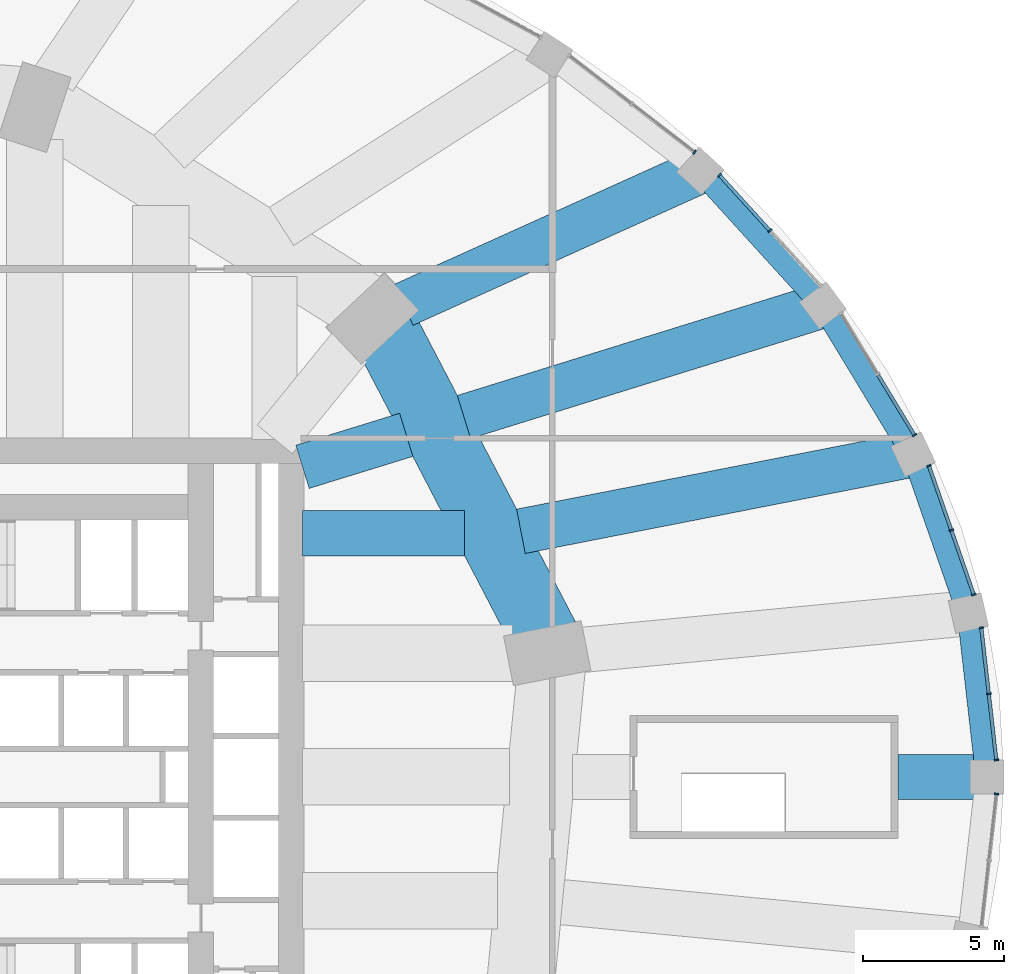
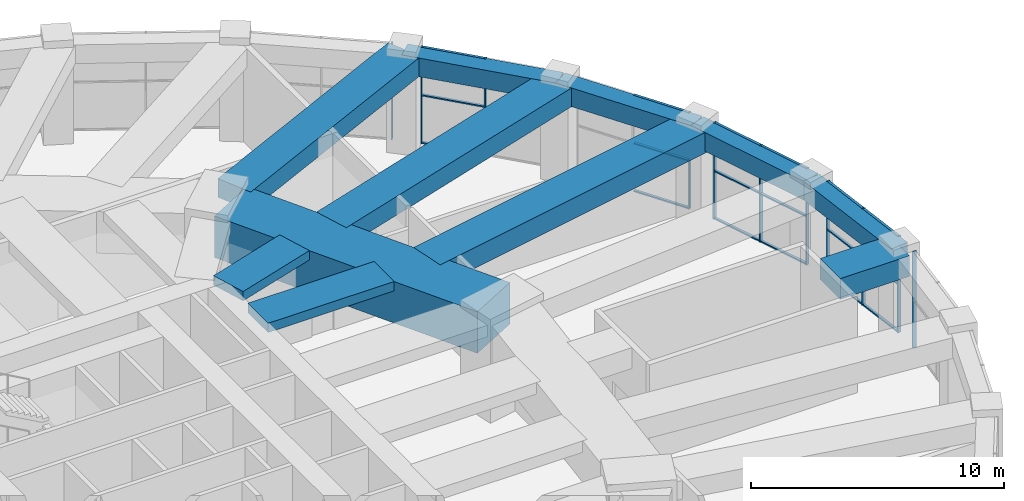
# One storey, part 14 of 30: 29 members, 11 beams, 6 elements without a shape of their own.
"""IFC4 building model written with IfcOpenShell, lengths in metres."""

from ifc_helpers import new_model, si_unit, direction, frame, origin, origin_2d, place, context, subcontext, project, spatial, rectangle, extrude, material, material_profile, profile_set, type_object, element, aggregate, save


model = new_model("IFC4")

# Units and contexts
model_context = context("Model", 3, precision=1e-05, world=origin(), true_north=direction((0.0, 1.0)))
body_context = subcontext(model_context, "Body", "Model", "MODEL_VIEW")
ifc_project = project(units=[si_unit("LENGTHUNIT", "METRE"), si_unit("AREAUNIT", "SQUARE_METRE"), si_unit("VOLUMEUNIT", "CUBIC_METRE"), si_unit("PLANEANGLEUNIT", "RADIAN"), si_unit("MASSUNIT", "GRAM", prefix="KILO")], contexts=[model_context])

# Site, building, storey
site_placement = place(None, origin())
site = spatial("IfcSite", under=ifc_project, at=site_placement, CompositionType="ELEMENT")
building_placement = place(site_placement, origin())
building = spatial("IfcBuilding", under=site, at=building_placement, Name="Taillehof Tower", CompositionType="ELEMENT")
storey_placement = place(building_placement, frame((0.0, 0.0, 12.5)))
storey = spatial("IfcBuildingStorey", under=building, at=storey_placement, Name="L02", CompositionType="ELEMENT", Elevation=12.5)

# Beams
ifc_material_1 = material(Name="Concrete C50/60", Category="concrete")
ifc_material_profile_1 = material_profile(ifc_material_1, rectangle(XDim=0.800048828125, YDim=0.89990234375, at=origin_2d()), Name="RC 800x900")
ifc_profile_set_1 = profile_set([ifc_material_profile_1], Name="Concrete C50/60")
beam_type_1 = type_object("IfcBeamType", Name="Podium edge beam C50/60 800x900", PredefinedType="BEAM", material=ifc_profile_set_1)
beam_1_placement = place(storey_placement, frame((43.39990234375, 0.0, 4.199951171875), z_axis=(-0.112928457179, 0.993603121754, 0.0), x_axis=(-0.993603121754, -0.112928457179, 0.0)))
element("IfcBeam", 1, at=beam_1_placement, inside=storey, type_object=beam_type_1, Name="Podium edge beam PB01", PredefinedType="BEAM", context=body_context, shape_type="SweptSolid", body=[
    extrude(rectangle(XDim=0.800048828125, YDim=0.89990234375, at=origin_2d()), origin(), (0.0, 0.0, 1.0), 5.837158203125),
])
beam_2_placement = place(storey_placement, frame((42.74072265625, 5.7998046875, 4.199951171875), z_axis=(-0.328806837859, 0.94439719577, 0.0), x_axis=(-0.94439719577, -0.328806837859, 0.0)))
element("IfcBeam", 2, at=beam_2_placement, inside=storey, type_object=beam_type_1, Name="Podium edge beam PB02", PredefinedType="BEAM", context=body_context, shape_type="SweptSolid", body=[
    extrude(rectangle(XDim=0.800048828125, YDim=0.89990234375, at=origin_2d()), origin(), (0.0, 0.0, 1.0), 5.954833984375),
])
beam_3_placement = place(storey_placement, frame((40.78271484375, 11.423583984375, 4.199951171875), z_axis=(-0.518238569123, 0.855236099258, 0.0), x_axis=(-0.855236099258, -0.518238569123, 0.0)))
element("IfcBeam", 3, at=beam_3_placement, inside=storey, type_object=beam_type_1, Name="Podium edge beam PB03", PredefinedType="BEAM", context=body_context, shape_type="SweptSolid", body=[
    extrude(rectangle(XDim=0.800048828125, YDim=0.89990234375, at=origin_2d()), origin(), (0.0, 0.0, 1.0), 6.16943359375),
])
beam_4_placement = place(storey_placement, frame((37.58544921875, 16.699951171875, 4.199951171875), z_axis=(-0.67297994181, 0.739660731634, 0.0), x_axis=(-0.739660731634, -0.67297994181, 0.0)))
element("IfcBeam", 4, at=beam_4_placement, inside=storey, type_object=beam_type_1, Name="Podium edge beam PB04", PredefinedType="BEAM", context=body_context, shape_type="SweptSolid", body=[
    extrude(rectangle(XDim=0.800048828125, YDim=0.89990234375, at=origin_2d()), origin(), (0.0, 0.0, 1.0), 6.447509765625),
])
ifc_material_2 = material(Name="Concrete C50/60", Category="concrete")
ifc_material_profile_2 = material_profile(ifc_material_2, rectangle(XDim=1.60009765625, YDim=1.0, at=origin_2d()), Name="RC 1600x1000")
ifc_profile_set_2 = profile_set([ifc_material_profile_2], Name="Concrete C50/60")
beam_type_2 = type_object("IfcBeamType", Name="Podium radial beam C50/60 1600x1000", PredefinedType="BEAM", material=ifc_profile_set_2)
beam_5_placement = place(storey_placement, frame((43.39990234375, 0.0, 4.14990234375), z_axis=(-1.0, 0.0, 0.0), x_axis=(0.0, -1.0, 0.0)))
element("IfcBeam", 5, at=beam_5_placement, inside=storey, type_object=beam_type_2, Name="Podium radial beam PR01", PredefinedType="BEAM", context=body_context, shape_type="SweptSolid", body=[
    extrude(rectangle(XDim=1.60009765625, YDim=1.0, at=origin_2d()), origin(), (0.0, 0.0, 1.0), 3.14990234375),
])
beam_6_placement = place(storey_placement, frame((40.78271484375, 11.423583984375, 4.14990234375), z_axis=(-0.981362621206, -0.19216504807, 0.0), x_axis=(0.19216504807, -0.981362621206, 0.0)))
element("IfcBeam", 6, at=beam_6_placement, inside=storey, type_object=beam_type_2, Name="Podium radial beam PR03", PredefinedType="BEAM", context=body_context, shape_type="SweptSolid", body=[
    extrude(rectangle(XDim=1.60009765625, YDim=1.0, at=origin_2d()), origin(), (0.0, 0.0, 1.0), 14.158203125),
])
ifc_material_3 = material(Name="Concrete C50/60", Category="concrete")
ifc_material_profile_3 = material_profile(ifc_material_3, rectangle(XDim=1.60009765625, YDim=0.89990234375, at=origin_2d()), Name="RC 1600x900")
ifc_profile_set_3 = profile_set([ifc_material_profile_3], Name="Concrete C50/60")
beam_type_3 = type_object("IfcBeamType", Name="Podium radial beam C50/60 1600x900", PredefinedType="BEAM", material=ifc_profile_set_3)
beam_7_placement = place(storey_placement, frame((37.58544921875, 16.699951171875, 4.199951171875), z_axis=(-0.95499860346, -0.296610295487, 0.0), x_axis=(0.296610295487, -0.95499860346, 0.0)))
element("IfcBeam", 7, at=beam_7_placement, inside=storey, type_object=beam_type_3, Name="Podium radial beam PR04", PredefinedType="BEAM", context=body_context, shape_type="SweptSolid", body=[
    extrude(rectangle(XDim=1.60009765625, YDim=0.89990234375, at=origin_2d()), origin(), (0.0, 0.0, 1.0), 13.314453125),
])
beam_8_placement = place(storey_placement, frame((33.246337890625, 21.468994140625, 4.199951171875), z_axis=(-0.911449764293, -0.411411384347, 0.0), x_axis=(0.411411384347, -0.911449764293, 0.0)))
element("IfcBeam", 8, at=beam_8_placement, inside=storey, type_object=beam_type_3, Name="Podium radial beam PR05", PredefinedType="BEAM", context=body_context, shape_type="SweptSolid", body=[
    extrude(rectangle(XDim=1.60009765625, YDim=0.89990234375, at=origin_2d()), origin(), (0.0, 0.0, 1.0), 11.5283203125),
])

# Curtain wall, members
ifc_material_4 = material(Name="Aluminium curtain wall with Clear low-emissivity double glazing", Category="aluminium")
curtain_wall_type = type_object("IfcCurtainWallType", Name="Podium window wall curtain wall", PredefinedType="USERDEFINED", material=ifc_material_4)
curtain_wall_1_placement = place(storey_placement, origin())
curtain_wall_1 = element("IfcCurtainWall", 9, at=curtain_wall_1_placement, inside=storey, type_object=curtain_wall_type, Name="Podium window wall L02 bay 1", ObjectType="WINDOW WALL", PredefinedType="USERDEFINED")
ifc_material_5 = material(Name="Aluminium mullion", Category="aluminium")
ifc_material_profile_4 = material_profile(ifc_material_5, rectangle(XDim=0.159912109375, YDim=0.06005859375, at=origin_2d()), Name="AL 60x160")
ifc_profile_set_4 = profile_set([ifc_material_profile_4], Name="Aluminium mullion")
member_type_1 = type_object("IfcMemberType", Name="Podium window wall mullion 60x160", PredefinedType="MULLION", material=ifc_profile_set_4)
member_1_placement = place(storey_placement, frame((43.73046875, 0.60009765625, 0.0), z_axis=(0.0, 0.0, 1.0), x_axis=(-0.993602669771, -0.112932433888, 0.0)))
member_1 = element("IfcMember", 10, at=member_1_placement, type_object=member_type_1, Name="CT201 mullion 1", PredefinedType="MULLION", context=body_context, shape_type="SweptSolid", body=[
    extrude(rectangle(XDim=0.159912109375, YDim=0.06005859375, at=origin_2d()), origin(), (0.0, 0.0, 1.0), 4.64990234375),
])
member_2_placement = place(storey_placement, frame((43.464111328125, 2.9443359375, 0.0), z_axis=(0.0, 0.0, 1.0), x_axis=(-0.993602669771, -0.112932433888, 0.0)))
member_2 = element("IfcMember", 11, at=member_2_placement, type_object=member_type_1, Name="CT201 mullion 2", PredefinedType="MULLION", context=body_context, shape_type="SweptSolid", body=[
    extrude(rectangle(XDim=0.159912109375, YDim=0.06005859375, at=origin_2d()), origin(), (0.0, 0.0, 1.0), 4.64990234375),
])
member_3_placement = place(storey_placement, frame((43.197509765625, 5.28857421875, 0.0), z_axis=(0.0, 0.0, 1.0), x_axis=(-0.993602669771, -0.112932433888, 0.0)))
member_3 = element("IfcMember", 12, at=member_3_placement, type_object=member_type_1, Name="CT201 mullion 3", PredefinedType="MULLION", context=body_context, shape_type="SweptSolid", body=[
    extrude(rectangle(XDim=0.159912109375, YDim=0.06005859375, at=origin_2d()), origin(), (0.0, 0.0, 1.0), 4.64990234375),
])

curtain_wall_2_placement = place(storey_placement, origin())
curtain_wall_2 = element("IfcCurtainWall", 13, at=curtain_wall_2_placement, inside=storey, type_object=curtain_wall_type, Name="Podium window wall L02 bay 2", ObjectType="WINDOW WALL", PredefinedType="USERDEFINED")
member_4_placement = place(storey_placement, frame((42.930908203125, 6.458740234375, 0.0), z_axis=(0.0, 0.0, 1.0), x_axis=(-0.944414333464, -0.328757610934, 0.0)))
member_4 = element("IfcMember", 14, at=member_4_placement, type_object=member_type_1, Name="CT202 mullion 1", PredefinedType="MULLION", context=body_context, shape_type="SweptSolid", body=[
    extrude(rectangle(XDim=0.159912109375, YDim=0.06005859375, at=origin_2d()), origin(), (0.0, 0.0, 1.0), 4.64990234375),
])
member_5_placement = place(storey_placement, frame((42.136474609375, 8.7412109375, 0.0), z_axis=(0.0, 0.0, 1.0), x_axis=(-0.944414333464, -0.328757610934, 0.0)))
member_5 = element("IfcMember", 15, at=member_5_placement, type_object=member_type_1, Name="CT202 mullion 2", PredefinedType="MULLION", context=body_context, shape_type="SweptSolid", body=[
    extrude(rectangle(XDim=0.159912109375, YDim=0.06005859375, at=origin_2d()), origin(), (0.0, 0.0, 1.0), 4.64990234375),
])
member_6_placement = place(storey_placement, frame((41.341796875, 11.023681640625, 0.0), z_axis=(0.0, 0.0, 1.0), x_axis=(-0.944414333464, -0.328757610934, 0.0)))
member_6 = element("IfcMember", 16, at=member_6_placement, type_object=member_type_1, Name="CT202 mullion 3", PredefinedType="MULLION", context=body_context, shape_type="SweptSolid", body=[
    extrude(rectangle(XDim=0.159912109375, YDim=0.06005859375, at=origin_2d()), origin(), (0.0, 0.0, 1.0), 4.64990234375),
])

# Curtain wall, member
curtain_wall_3_placement = place(storey_placement, origin())
curtain_wall_3 = element("IfcCurtainWall", 17, at=curtain_wall_3_placement, inside=storey, type_object=curtain_wall_type, Name="Podium window wall L02 bay 3", ObjectType="WINDOW WALL", PredefinedType="USERDEFINED")
member_7_placement = place(storey_placement, frame((40.8310546875, 12.109375, 0.0), z_axis=(0.0, 0.0, 1.0), x_axis=(-0.855288863309, -0.518151483931, 0.0)))
member_7 = element("IfcMember", 18, at=member_7_placement, type_object=member_type_1, Name="CT203 mullion 1", PredefinedType="MULLION", context=body_context, shape_type="SweptSolid", body=[
    extrude(rectangle(XDim=0.159912109375, YDim=0.06005859375, at=origin_2d()), origin(), (0.0, 0.0, 1.0), 4.64990234375),
])

# Curtain wall, members
curtain_wall_4_placement = place(storey_placement, origin())
curtain_wall_4 = element("IfcCurtainWall", 19, at=curtain_wall_4_placement, inside=storey, type_object=curtain_wall_type, Name="Podium window wall L02 bay 4", ObjectType="WINDOW WALL", PredefinedType="USERDEFINED")
member_8_placement = place(storey_placement, frame((35.7109375, 19.35107421875, 0.0), z_axis=(0.0, 0.0, 1.0), x_axis=(-0.739707112587, -0.672928961769, 0.0)))
member_8 = element("IfcMember", 20, at=member_8_placement, type_object=member_type_1, Name="CT204 mullion 2", PredefinedType="MULLION", context=body_context, shape_type="SweptSolid", body=[
    extrude(rectangle(XDim=0.159912109375, YDim=0.06005859375, at=origin_2d()), origin(), (0.0, 0.0, 1.0), 4.64990234375),
])
member_9_placement = place(storey_placement, frame((33.922119140625, 21.317138671875, 0.0), z_axis=(0.0, 0.0, 1.0), x_axis=(-0.739707112587, -0.672928961769, 0.0)))
member_9 = element("IfcMember", 21, at=member_9_placement, type_object=member_type_1, Name="CT204 mullion 3", PredefinedType="MULLION", context=body_context, shape_type="SweptSolid", body=[
    extrude(rectangle(XDim=0.159912109375, YDim=0.06005859375, at=origin_2d()), origin(), (0.0, 0.0, 1.0), 4.64990234375),
])

# Curtain wall, member
curtain_wall_5_placement = place(storey_placement, origin())
curtain_wall_5 = element("IfcCurtainWall", 22, at=curtain_wall_5_placement, inside=storey, type_object=curtain_wall_type, Name="Podium window wall L02 bay 5", ObjectType="WINDOW WALL", PredefinedType="USERDEFINED")
member_10_placement = place(storey_placement, frame((33.03955078125, 22.130126953125, 0.0), z_axis=(0.0, 0.0, 1.0), x_axis=(-0.60993206075, -0.792453709228, 0.0)))
member_10 = element("IfcMember", 23, at=member_10_placement, type_object=member_type_1, Name="CT205 mullion 1", PredefinedType="MULLION", context=body_context, shape_type="SweptSolid", body=[
    extrude(rectangle(XDim=0.159912109375, YDim=0.06005859375, at=origin_2d()), origin(), (0.0, 0.0, 1.0), 4.64990234375),
])
aggregate(curtain_wall_5, [member_10])

curtain_wall_6_placement = place(storey_placement, origin())
curtain_wall_6 = element("IfcCurtainWall", 24, at=curtain_wall_6_placement, inside=storey, type_object=curtain_wall_type, Name="Podium window wall L02 bay 36", ObjectType="WINDOW WALL", PredefinedType="USERDEFINED")
member_11_placement = place(storey_placement, frame((43.73046875, -0.60009765625, 0.0), z_axis=(0.0, 0.0, 1.0), x_axis=(-0.993602669771, 0.112932433888, 0.0)))
member_11 = element("IfcMember", 25, at=member_11_placement, type_object=member_type_1, Name="CT236 mullion 3", PredefinedType="MULLION", context=body_context, shape_type="SweptSolid", body=[
    extrude(rectangle(XDim=0.159912109375, YDim=0.06005859375, at=origin_2d()), origin(), (0.0, 0.0, 1.0), 4.64990234375),
])
aggregate(curtain_wall_6, [member_11])

# Member
ifc_material_6 = material(Name="Aluminium transom", Category="aluminium")
ifc_material_profile_5 = material_profile(ifc_material_6, rectangle(XDim=0.1201171875, YDim=0.06005859375, at=origin_2d()), Name="AL 120x60")
ifc_profile_set_5 = profile_set([ifc_material_profile_5], Name="Aluminium transom")
member_type_2 = type_object("IfcMemberType", Name="Podium window wall transom 120x60", PredefinedType="USERDEFINED", material=ifc_profile_set_5)
member_12_placement = place(storey_placement, frame((43.72705078125, 0.6298828125, 0.030029296875), z_axis=(-0.112866805394, 0.993610126881, 0.0), x_axis=(-0.993610126881, -0.112866805394, 0.0)))
member_12 = element("IfcMember", 26, at=member_12_placement, type_object=member_type_2, Name="CT201 transom 1.1", ObjectType="TRANSOM", PredefinedType="USERDEFINED", context=body_context, shape_type="SweptSolid", body=[
    extrude(rectangle(XDim=0.1201171875, YDim=0.06005859375, at=origin_2d()), origin(), (0.0, 0.0, 1.0), 2.29931640625),
])

member_13_placement = place(storey_placement, frame((43.72705078125, 0.6298828125, 2.324951171875), z_axis=(-0.112866805394, 0.993610126881, 0.0), x_axis=(-0.993610126881, -0.112866805394, 0.0)))
member_13 = element("IfcMember", 27, at=member_13_placement, type_object=member_type_2, Name="CT201 transom 1.2", ObjectType="TRANSOM", PredefinedType="USERDEFINED", context=body_context, shape_type="SweptSolid", body=[
    extrude(rectangle(XDim=0.1201171875, YDim=0.06005859375, at=origin_2d()), origin(), (0.0, 0.0, 1.0), 2.29931640625),
])

member_14_placement = place(storey_placement, frame((43.72705078125, 0.6298828125, 4.6201171875), z_axis=(-0.112866805394, 0.993610126881, 0.0), x_axis=(-0.993610126881, -0.112866805394, 0.0)))
member_14 = element("IfcMember", 28, at=member_14_placement, type_object=member_type_2, Name="CT201 transom 1.3", ObjectType="TRANSOM", PredefinedType="USERDEFINED", context=body_context, shape_type="SweptSolid", body=[
    extrude(rectangle(XDim=0.1201171875, YDim=0.06005859375, at=origin_2d()), origin(), (0.0, 0.0, 1.0), 2.29931640625),
])

member_15_placement = place(storey_placement, frame((43.460693359375, 2.97412109375, 0.030029296875), z_axis=(-0.112971628537, 0.993598214142, 0.0), x_axis=(-0.993598214142, -0.112971628537, 0.0)))
member_15 = element("IfcMember", 29, at=member_15_placement, type_object=member_type_2, Name="CT201 transom 2.1", ObjectType="TRANSOM", PredefinedType="USERDEFINED", context=body_context, shape_type="SweptSolid", body=[
    extrude(rectangle(XDim=0.1201171875, YDim=0.06005859375, at=origin_2d()), origin(), (0.0, 0.0, 1.0), 2.29931640625),
])

member_16_placement = place(storey_placement, frame((43.460693359375, 2.97412109375, 2.324951171875), z_axis=(-0.112971628537, 0.993598214142, 0.0), x_axis=(-0.993598214142, -0.112971628537, 0.0)))
member_16 = element("IfcMember", 30, at=member_16_placement, type_object=member_type_2, Name="CT201 transom 2.2", ObjectType="TRANSOM", PredefinedType="USERDEFINED", context=body_context, shape_type="SweptSolid", body=[
    extrude(rectangle(XDim=0.1201171875, YDim=0.06005859375, at=origin_2d()), origin(), (0.0, 0.0, 1.0), 2.29931640625),
])

member_17_placement = place(storey_placement, frame((43.460693359375, 2.97412109375, 4.6201171875), z_axis=(-0.112971628537, 0.993598214142, 0.0), x_axis=(-0.993598214142, -0.112971628537, 0.0)))
member_17 = element("IfcMember", 31, at=member_17_placement, type_object=member_type_2, Name="CT201 transom 2.3", ObjectType="TRANSOM", PredefinedType="USERDEFINED", context=body_context, shape_type="SweptSolid", body=[
    extrude(rectangle(XDim=0.1201171875, YDim=0.06005859375, at=origin_2d()), origin(), (0.0, 0.0, 1.0), 2.29931640625),
])

aggregate(curtain_wall_1, [member_1, member_2, member_3, member_12, member_13, member_14, member_15, member_16, member_17])

member_18_placement = place(storey_placement, frame((42.921142578125, 6.487060546875, 0.030029296875), z_axis=(-0.328785781258, 0.944404526695, 0.0), x_axis=(-0.944404526695, -0.328785781258, 0.0)))
member_18 = element("IfcMember", 32, at=member_18_placement, type_object=member_type_2, Name="CT202 transom 1.1", ObjectType="TRANSOM", PredefinedType="USERDEFINED", context=body_context, shape_type="SweptSolid", body=[
    extrude(rectangle(XDim=0.1201171875, YDim=0.06005859375, at=origin_2d()), origin(), (0.0, 0.0, 1.0), 2.35693359375),
])

member_19_placement = place(storey_placement, frame((42.921142578125, 6.487060546875, 2.324951171875), z_axis=(-0.328785781258, 0.944404526695, 0.0), x_axis=(-0.944404526695, -0.328785781258, 0.0)))
member_19 = element("IfcMember", 33, at=member_19_placement, type_object=member_type_2, Name="CT202 transom 1.2", ObjectType="TRANSOM", PredefinedType="USERDEFINED", context=body_context, shape_type="SweptSolid", body=[
    extrude(rectangle(XDim=0.1201171875, YDim=0.06005859375, at=origin_2d()), origin(), (0.0, 0.0, 1.0), 2.35693359375),
])

member_20_placement = place(storey_placement, frame((42.921142578125, 6.487060546875, 4.6201171875), z_axis=(-0.328785781258, 0.944404526695, 0.0), x_axis=(-0.944404526695, -0.328785781258, 0.0)))
member_20 = element("IfcMember", 34, at=member_20_placement, type_object=member_type_2, Name="CT202 transom 1.3", ObjectType="TRANSOM", PredefinedType="USERDEFINED", context=body_context, shape_type="SweptSolid", body=[
    extrude(rectangle(XDim=0.1201171875, YDim=0.06005859375, at=origin_2d()), origin(), (0.0, 0.0, 1.0), 2.35693359375),
])

member_21_placement = place(storey_placement, frame((42.12646484375, 8.76953125, 0.030029296875), z_axis=(-0.328693387122, 0.9444366878, 0.0), x_axis=(-0.9444366878, -0.328693387122, 0.0)))
member_21 = element("IfcMember", 35, at=member_21_placement, type_object=member_type_2, Name="CT202 transom 2.1", ObjectType="TRANSOM", PredefinedType="USERDEFINED", context=body_context, shape_type="SweptSolid", body=[
    extrude(rectangle(XDim=0.1201171875, YDim=0.06005859375, at=origin_2d()), origin(), (0.0, 0.0, 1.0), 2.356689453125),
])

member_22_placement = place(storey_placement, frame((42.12646484375, 8.76953125, 2.324951171875), z_axis=(-0.328693387122, 0.9444366878, 0.0), x_axis=(-0.9444366878, -0.328693387122, 0.0)))
member_22 = element("IfcMember", 36, at=member_22_placement, type_object=member_type_2, Name="CT202 transom 2.2", ObjectType="TRANSOM", PredefinedType="USERDEFINED", context=body_context, shape_type="SweptSolid", body=[
    extrude(rectangle(XDim=0.1201171875, YDim=0.06005859375, at=origin_2d()), origin(), (0.0, 0.0, 1.0), 2.356689453125),
])

member_23_placement = place(storey_placement, frame((42.12646484375, 8.76953125, 4.6201171875), z_axis=(-0.328693387122, 0.9444366878, 0.0), x_axis=(-0.9444366878, -0.328693387122, 0.0)))
member_23 = element("IfcMember", 37, at=member_23_placement, type_object=member_type_2, Name="CT202 transom 2.3", ObjectType="TRANSOM", PredefinedType="USERDEFINED", context=body_context, shape_type="SweptSolid", body=[
    extrude(rectangle(XDim=0.1201171875, YDim=0.06005859375, at=origin_2d()), origin(), (0.0, 0.0, 1.0), 2.356689453125),
])

aggregate(curtain_wall_2, [member_4, member_5, member_6, member_18, member_19, member_20, member_21, member_22, member_23])

member_24_placement = place(storey_placement, frame((40.8154296875, 12.135009765625, 0.030029296875), z_axis=(-0.518136875535, 0.855297713203, 0.0), x_axis=(-0.855297713203, -0.518136875535, 0.0)))
member_24 = element("IfcMember", 38, at=member_24_placement, type_object=member_type_2, Name="CT203 transom 1.1", ObjectType="TRANSOM", PredefinedType="USERDEFINED", context=body_context, shape_type="SweptSolid", body=[
    extrude(rectangle(XDim=0.1201171875, YDim=0.06005859375, at=origin_2d()), origin(), (0.0, 0.0, 1.0), 2.4619140625),
])

member_25_placement = place(storey_placement, frame((40.8154296875, 12.135009765625, 2.324951171875), z_axis=(-0.518136875535, 0.855297713203, 0.0), x_axis=(-0.855297713203, -0.518136875535, 0.0)))
member_25 = element("IfcMember", 39, at=member_25_placement, type_object=member_type_2, Name="CT203 transom 1.2", ObjectType="TRANSOM", PredefinedType="USERDEFINED", context=body_context, shape_type="SweptSolid", body=[
    extrude(rectangle(XDim=0.1201171875, YDim=0.06005859375, at=origin_2d()), origin(), (0.0, 0.0, 1.0), 2.4619140625),
])

member_26_placement = place(storey_placement, frame((40.8154296875, 12.135009765625, 4.6201171875), z_axis=(-0.518136875535, 0.855297713203, 0.0), x_axis=(-0.855297713203, -0.518136875535, 0.0)))
member_26 = element("IfcMember", 40, at=member_26_placement, type_object=member_type_2, Name="CT203 transom 1.3", ObjectType="TRANSOM", PredefinedType="USERDEFINED", context=body_context, shape_type="SweptSolid", body=[
    extrude(rectangle(XDim=0.1201171875, YDim=0.06005859375, at=origin_2d()), origin(), (0.0, 0.0, 1.0), 2.4619140625),
])

aggregate(curtain_wall_3, [member_7, member_24, member_25, member_26])

member_27_placement = place(storey_placement, frame((35.690673828125, 19.373291015625, 0.030029296875), z_axis=(-0.672958072108, 0.73968062918, 0.0), x_axis=(-0.73968062918, -0.672958072108, 0.0)))
member_27 = element("IfcMember", 41, at=member_27_placement, type_object=member_type_2, Name="CT204 transom 2.1", ObjectType="TRANSOM", PredefinedType="USERDEFINED", context=body_context, shape_type="SweptSolid", body=[
    extrude(rectangle(XDim=0.1201171875, YDim=0.06005859375, at=origin_2d()), origin(), (0.0, 0.0, 1.0), 2.597900390625),
])

member_28_placement = place(storey_placement, frame((35.690673828125, 19.373291015625, 2.324951171875), z_axis=(-0.672958072108, 0.73968062918, 0.0), x_axis=(-0.73968062918, -0.672958072108, 0.0)))
member_28 = element("IfcMember", 42, at=member_28_placement, type_object=member_type_2, Name="CT204 transom 2.2", ObjectType="TRANSOM", PredefinedType="USERDEFINED", context=body_context, shape_type="SweptSolid", body=[
    extrude(rectangle(XDim=0.1201171875, YDim=0.06005859375, at=origin_2d()), origin(), (0.0, 0.0, 1.0), 2.597900390625),
])

member_29_placement = place(storey_placement, frame((35.690673828125, 19.373291015625, 4.6201171875), z_axis=(-0.672958072108, 0.73968062918, 0.0), x_axis=(-0.73968062918, -0.672958072108, 0.0)))
member_29 = element("IfcMember", 43, at=member_29_placement, type_object=member_type_2, Name="CT204 transom 2.3", ObjectType="TRANSOM", PredefinedType="USERDEFINED", context=body_context, shape_type="SweptSolid", body=[
    extrude(rectangle(XDim=0.1201171875, YDim=0.06005859375, at=origin_2d()), origin(), (0.0, 0.0, 1.0), 2.597900390625),
])

aggregate(curtain_wall_4, [member_8, member_9, member_27, member_28, member_29])

# Beams
ifc_material_7 = material(Name="Concrete C50/60", Category="concrete")
ifc_material_profile_6 = material_profile(ifc_material_7, rectangle(XDim=1.60009765625, YDim=0.449951171875, at=origin_2d()), Name="RC 1600x450")
ifc_profile_set_6 = profile_set([ifc_material_profile_6], Name="Concrete C50/60")
beam_type_4 = type_object("IfcBeamType", Name="Radial band beam C50/60 1600x450", PredefinedType="BEAM", material=ifc_profile_set_6)
beam_9_placement = place(storey_placement, frame((24.895751953125, 8.635986328125, 4.425048828125), z_axis=(-1.0, 0.0, 0.0), x_axis=(0.0, -1.0, 0.0)))
element("IfcBeam", 44, at=beam_9_placement, inside=storey, type_object=beam_type_4, Name="Radial band beam RB03", PredefinedType="BEAM", context=body_context, shape_type="SweptSolid", body=[
    extrude(rectangle(XDim=1.60009765625, YDim=0.449951171875, at=origin_2d()), origin(), (0.0, 0.0, 1.0), 5.745849609375),
])
beam_10_placement = place(storey_placement, frame((22.82666015625, 12.119140625, 4.425048828125), z_axis=(-0.955548101348, -0.294835252319, 0.0), x_axis=(0.294835252319, -0.955548101348, 0.0)))
element("IfcBeam", 45, at=beam_10_placement, inside=storey, type_object=beam_type_4, Name="Radial band beam RB04", PredefinedType="BEAM", context=body_context, shape_type="SweptSolid", body=[
    extrude(rectangle(XDim=1.60009765625, YDim=0.449951171875, at=origin_2d()), origin(), (0.0, 0.0, 1.0), 3.845458984375),
])
ifc_material_8 = material(Name="Concrete C80/95", Category="concrete")
ifc_material_profile_7 = material_profile(ifc_material_8, rectangle(XDim=2.39990234375, YDim=2.0, at=origin_2d()), Name="RC 2400x2000")
ifc_profile_set_7 = profile_set([ifc_material_profile_7], Name="Concrete C80/95")
beam_type_5 = type_object("IfcBeamType", Name="Transfer girder C80/95 2400x2000", PredefinedType="BEAM", material=ifc_profile_set_7)
beam_11_placement = place(storey_placement, frame((27.756591796875, 4.940185546875, 3.64990234375), z_axis=(-0.462546329258, 0.886595112376, 0.0), x_axis=(-0.886595112376, -0.462546329258, 0.0)))
element("IfcBeam", 46, at=beam_11_placement, inside=storey, type_object=beam_type_5, Name="Transfer girder TG01", PredefinedType="BEAM", context=body_context, shape_type="SweptSolid", body=[
    extrude(rectangle(XDim=2.39990234375, YDim=2.0, at=origin_2d()), origin(), (0.0, 0.0, 1.0), 12.296630859375),
])

save(model, "model.ifc")
